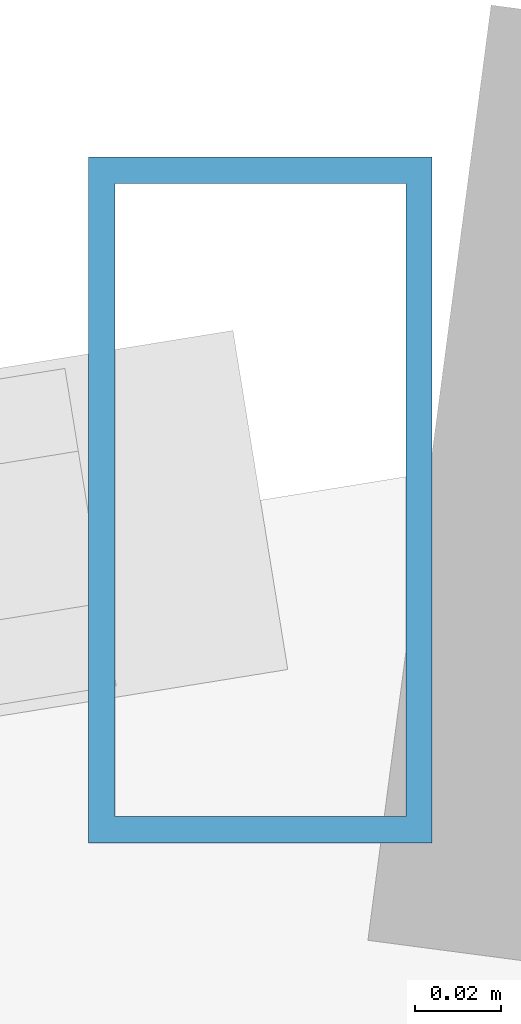
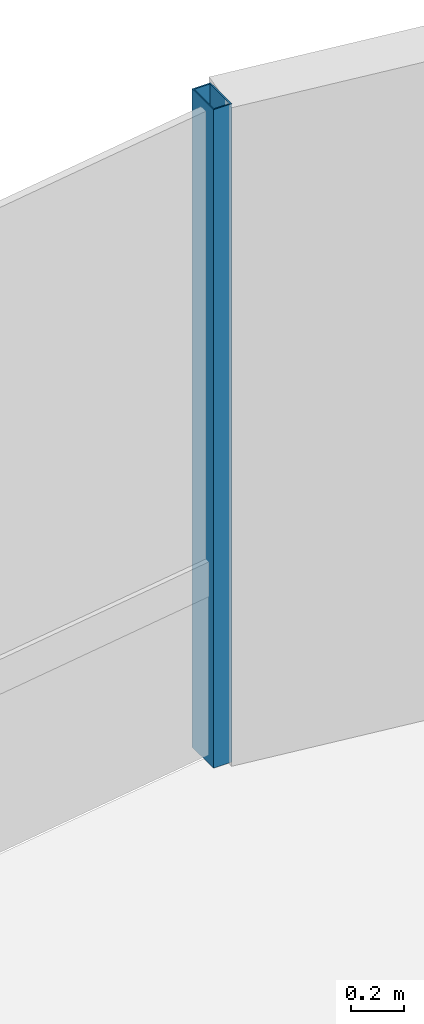
# One storey, part 16 of 22: 1 member, 1 element without a shape of its own.
"""IFC4 building model written with IfcOpenShell, lengths in metres."""

import ifcopenshell
import ifcopenshell.guid

model = None  # the IFC model being written
_history = None  # IfcOwnerHistory: only IFC2X3 demands one
_inside = {}  # id of a spatial element -> (the spatial element, [elements in it])
_under = {}  # id of a project, library or spatial element -> (it, [spatial elements below it])
_declared = {}  # id of a project -> (the project, [libraries it declares])
_typed = {}  # id of a type object -> (the type object, [elements of that type])
_made_of = {}  # id of a material, layer set ... -> (it, [elements and type objects made of it])


def new_model(schema):
    """Start an empty IFC model of exactly this schema.

    Asked for "IFC4X3", IfcOpenShell would pick the latest addendum, in which some entities
    have other attributes; the version numbers below select the first issue.
    IFC2X3 requires an IfcOwnerHistory on every rooted entity: one is made here for all.
    """
    global model, _history
    if schema == "IFC4X3":
        model = ifcopenshell.file(schema_version=(4, 3, 0, 0))
    else:
        model = ifcopenshell.file(schema=schema)
    _inside.clear()
    _under.clear()
    _declared.clear()
    _typed.clear()
    _made_of.clear()
    _history = None
    if model.schema == "IFC2X3":
        org = make("IfcOrganization", Name="unknown")
        user = make(
            "IfcPersonAndOrganization",
            ThePerson=make("IfcPerson", FamilyName="unknown"),
            TheOrganization=org,
        )
        app = make(
            "IfcApplication",
            ApplicationDeveloper=org,
            Version="unknown",
            ApplicationFullName="unknown",
            ApplicationIdentifier="unknown",
        )
        _history = make(
            "IfcOwnerHistory",
            OwningUser=user,
            OwningApplication=app,
            ChangeAction="ADDED",
            CreationDate=0,
        )
    return model


def make(cls, **values):
    """One entity of the class cls with the attributes given. An attribute that is None is left unset."""
    return model.create_entity(
        cls, **{name: value for name, value in values.items() if value is not None}
    )


def rooted(cls, **values):
    """An entity with a GlobalId (a new one), such as an element, a storey or a relation."""
    return make(cls, GlobalId=ifcopenshell.guid.new(), OwnerHistory=_history, **values)


def si_unit(unit_type, name, prefix=None):
    """IfcSIUnit, for example si_unit("LENGTHUNIT", "METRE", prefix="MILLI")."""
    return make("IfcSIUnit", UnitType=unit_type, Prefix=prefix, Name=name)


def assignment(units):
    """IfcUnitAssignment: the units of a project."""
    return None if units is None else make("IfcUnitAssignment", Units=units)


def point(xyz):
    """IfcCartesianPoint."""
    return None if xyz is None else make("IfcCartesianPoint", Coordinates=xyz)


def direction(xyz):
    """IfcDirection."""
    return None if xyz is None else make("IfcDirection", DirectionRatios=xyz)


def frame(location, z_axis=None, x_axis=None):
    """IfcAxis2Placement3D, a coordinate frame: its origin and axes. An axis left out is left unset."""
    return make(
        "IfcAxis2Placement3D",
        Location=point(location),
        Axis=direction(z_axis),
        RefDirection=direction(x_axis),
    )


def frame_2d(location, x_axis=None):
    """IfcAxis2Placement2D, a coordinate frame in the plane: its origin and x axis."""
    return make(
        "IfcAxis2Placement2D", Location=point(location), RefDirection=direction(x_axis)
    )


def origin():
    """The frame at (0, 0, 0) with its axes left unset."""
    return frame((0.0, 0.0, 0.0))


def origin_2d():
    """The frame at (0, 0) in the plane with its x axis left unset."""
    return frame_2d((0.0, 0.0))


def place(relative_to, where):
    """IfcLocalPlacement: puts the frame where relative to a parent placement (None: the world)."""
    return make(
        "IfcLocalPlacement", PlacementRelTo=relative_to, RelativePlacement=where
    )


def context(
    kind, dimensions, precision=None, world=None, true_north=None, identifier=None
):
    """IfcGeometricRepresentationContext, for example the 3D "Model" context."""
    return make(
        "IfcGeometricRepresentationContext",
        ContextIdentifier=identifier,
        ContextType=kind,
        CoordinateSpaceDimension=dimensions,
        Precision=precision,
        WorldCoordinateSystem=world,
        TrueNorth=true_north,
    )


def subcontext(parent, identifier, kind, view, scale=None):
    """IfcGeometricRepresentationSubContext, for example "Body" below "Model"."""
    return make(
        "IfcGeometricRepresentationSubContext",
        ContextIdentifier=identifier,
        ContextType=kind,
        ParentContext=parent,
        TargetScale=scale,
        TargetView=view,
    )


def project(units=None, contexts=None):
    """IfcProject with its units and contexts."""
    return rooted(
        "IfcProject",
        Name="project",
        RepresentationContexts=contexts,
        UnitsInContext=assignment(units),
    )


def spatial(cls, under=None, at=None, **own):
    """A site, building, storey or space (cls), placed at a placement, below another one or the project."""
    s = rooted(cls, ObjectPlacement=at, **own)
    if under is not None:
        _under.setdefault(under.id(), (under, []))[1].append(s)
    return s


def profile(cls, at=None, kind="AREA", **sizes):
    """A parametric profile (cls). Its sizes go by their IFC names, for example OverallWidth=200.0."""
    return make(cls, ProfileType=kind, Position=at, **sizes)


def hollow_rectangle(**sizes):
    """IfcRectangleHollowProfileDef."""
    return profile("IfcRectangleHollowProfileDef", **sizes)


def extrude(swept, where, along, depth):
    """IfcExtrudedAreaSolid: the profile swept, set in the frame where, extruded along a direction by depth."""
    return make(
        "IfcExtrudedAreaSolid",
        SweptArea=swept,
        Position=where,
        ExtrudedDirection=direction(along),
        Depth=depth,
    )


def shape(context_of_items, identifier, shape_type, items):
    """IfcShapeRepresentation: the items that make up one representation, for example the "Body"."""
    return make(
        "IfcShapeRepresentation",
        ContextOfItems=context_of_items,
        RepresentationIdentifier=identifier,
        RepresentationType=shape_type,
        Items=items,
    )


def source(mapping_origin, context_of_items, identifier, shape_type, items):
    """IfcRepresentationMap: a shape defined once, which mapped items show again and again."""
    return make(
        "IfcRepresentationMap",
        MappingOrigin=mapping_origin,
        MappedRepresentation=shape(context_of_items, identifier, shape_type, items),
    )


def transform(
    local_origin,
    x_axis=None,
    y_axis=None,
    z_axis=None,
    scale=None,
    scale2=None,
    scale3=None,
    uniform=True,
):
    """IfcCartesianTransformationOperator3D, or its non-uniform kind. x_axis, y_axis, z_axis: its Axis1, 2, 3."""
    if uniform:
        return make(
            "IfcCartesianTransformationOperator3D",
            Axis1=direction(x_axis),
            Axis2=direction(y_axis),
            LocalOrigin=point(local_origin),
            Scale=scale,
            Axis3=direction(z_axis),
        )
    return make(
        "IfcCartesianTransformationOperator3DnonUniform",
        Axis1=direction(x_axis),
        Axis2=direction(y_axis),
        LocalOrigin=point(local_origin),
        Scale=scale,
        Axis3=direction(z_axis),
        Scale2=scale2,
        Scale3=scale3,
    )


def mapped(mapping_source, mapping_target):
    """IfcMappedItem: shows the shape of a source again, moved by a transform."""
    return make(
        "IfcMappedItem", MappingSource=mapping_source, MappingTarget=mapping_target
    )


def material(Name=None, Category=None):
    """IfcMaterial."""
    return make("IfcMaterial", Name=Name, Category=Category)


def material_profile(
    of_material, cross_section, Name=None, Category=None, Priority=None
):
    """IfcMaterialProfile: a cross section and its material."""
    return make(
        "IfcMaterialProfile",
        Name=Name,
        Material=of_material,
        Profile=cross_section,
        Priority=Priority,
        Category=Category,
    )


def profile_set(profiles, Name=None, composite=None):
    """IfcMaterialProfileSet."""
    return make(
        "IfcMaterialProfileSet",
        Name=Name,
        MaterialProfiles=profiles,
        CompositeProfile=composite,
    )


def made_of(thing, what):
    """Note that an element or type object is made of a material, layer set ...; save() writes the relation."""
    if what is not None:
        _made_of.setdefault(what.id(), (what, []))[1].append(thing)
    return thing


def type_object(cls, material=None, **own):
    """A type object (cls), such as IfcWallType, which elements share."""
    return made_of(rooted(cls, **own), material)


def element(
    cls,
    number,
    at=None,
    inside=None,
    cuts=None,
    type_object=None,
    material=None,
    context=None,
    identifier="Body",
    shape_type=None,
    held_by="IfcProductDefinitionShape",
    body=None,
    shapes=None,
    **own,
):
    """One element of the class cls, such as IfcWall. Its Tag is "e" and its number.

    at: its placement. inside: the storey or other place that contains it. cuts: it is an
    opening in that element (IfcRelVoidsElement). A single representation is given by context,
    identifier, shape_type and body (its items); several are given by shapes. held_by: the class
    of the entity that holds the representations. save() writes the other relations.
    """
    e = rooted(cls, Tag="e%d" % number, ObjectPlacement=at, **own)
    if body is not None:
        shapes = [shape(context, identifier, shape_type, body)]
    if shapes is not None:
        e.Representation = make(held_by, Representations=shapes)
    if inside is not None:
        _inside.setdefault(inside.id(), (inside, []))[1].append(e)
    if cuts is not None:
        rooted(
            "IfcRelVoidsElement", RelatingBuildingElement=cuts, RelatedOpeningElement=e
        )
    if type_object is not None:
        _typed.setdefault(type_object.id(), (type_object, []))[1].append(e)
    return made_of(e, material)


def aggregate(whole, parts):
    """IfcRelAggregates: a whole, such as a stair, and the parts it consists of."""
    return rooted("IfcRelAggregates", RelatingObject=whole, RelatedObjects=parts)


def save(model, path):
    """Write the relations noted so far, then the file.

    IfcRelAggregates (storeys below a building ...), IfcRelContainedInSpatialStructure (elements
    in a storey), IfcRelDefinesByType, IfcRelAssociatesMaterial and IfcRelDeclares: one each for
    every whole, place, type object, material and project.
    """
    for whole, parts in _under.values():
        aggregate(whole, parts)
    for where, things in _inside.values():
        rooted(
            "IfcRelContainedInSpatialStructure",
            RelatedElements=things,
            RelatingStructure=where,
        )
    for kind, things in _typed.values():
        rooted("IfcRelDefinesByType", RelatedObjects=things, RelatingType=kind)
    for what, things in _made_of.values():
        rooted("IfcRelAssociatesMaterial", RelatedObjects=things, RelatingMaterial=what)
    for by, libraries in _declared.values():
        rooted("IfcRelDeclares", RelatingContext=by, RelatedDefinitions=libraries)
    model.write(path)


model = new_model("IFC4")

# Units and contexts
model_context = context("Model", 3, precision=1e-05, world=origin(), true_north=direction((0.0, 1.0)))
body_context = subcontext(model_context, "Body", "Model", "MODEL_VIEW")
ifc_project = project(units=[si_unit("LENGTHUNIT", "METRE"), si_unit("AREAUNIT", "SQUARE_METRE"), si_unit("VOLUMEUNIT", "CUBIC_METRE"), si_unit("PLANEANGLEUNIT", "RADIAN"), si_unit("MASSUNIT", "GRAM", prefix="KILO")], contexts=[model_context])

# Site, building, storey
site_placement = place(None, origin())
site = spatial("IfcSite", under=ifc_project, at=site_placement, CompositionType="ELEMENT")
building_placement = place(site_placement, origin())
building = spatial("IfcBuilding", under=site, at=building_placement, Name="Sahyath Konkavel Grand Hotel", CompositionType="ELEMENT")
storey_placement = place(building_placement, frame((0.0, 0.0, 261.25)))
storey = spatial("IfcBuildingStorey", under=building, at=storey_placement, Name="L73", CompositionType="ELEMENT", Elevation=261.25)

# Curtain wall, member
ifc_material_1 = material(Name="Anodised Bronze Aluminium & Low-E Glazing", Category="aluminium")
curtain_wall_type = type_object("IfcCurtainWallType", Name="CW-ZONE4", PredefinedType="NOTDEFINED", material=ifc_material_1)
curtain_wall_placement = place(storey_placement, origin())
curtain_wall = element("IfcCurtainWall", 1, at=curtain_wall_placement, inside=storey, type_object=curtain_wall_type, Name="L73 Unitised Curtain Wall F12", PredefinedType="NOTDEFINED")
ifc_material_2 = material(Name="Anodised Bronze Aluminium", Category="aluminium")
ifc_material_profile = material_profile(ifc_material_2, hollow_rectangle(XDim=0.080078125, YDim=0.159912109375, WallThickness=0.006103515625, at=origin_2d()), Name="RHS 160x80x6")
ifc_profile_set = profile_set([ifc_material_profile], Name="Anodised Bronze Aluminium")
member_type = type_object("IfcMemberType", Name="CW-MUL-160", PredefinedType="MULLION", material=ifc_profile_set)
shared_shape = source(origin(), body_context, "Body", "SweptSolid", [
    extrude(hollow_rectangle(XDim=0.080078125, YDim=0.159912109375, WallThickness=0.006103515625, at=origin_2d()), origin(), (0.0, 0.0, 1.0), 3.030029296875),
])
member_placement = place(storey_placement, frame((1.0888671875, 20.1533203125, 0.0), z_axis=(0.0, 0.0, 1.0), x_axis=(1.0, 0.0, 0.0)))
member = element("IfcMember", 2, at=member_placement, type_object=member_type, Name="L73 Curtain Wall Mullion F12-0", PredefinedType="MULLION", context=body_context, shape_type="MappedRepresentation", body=[
    mapped(shared_shape, transform((0.0, 0.0, 0.0), scale=1.0)),
])
aggregate(curtain_wall, [member])

save(model, "model.ifc")
